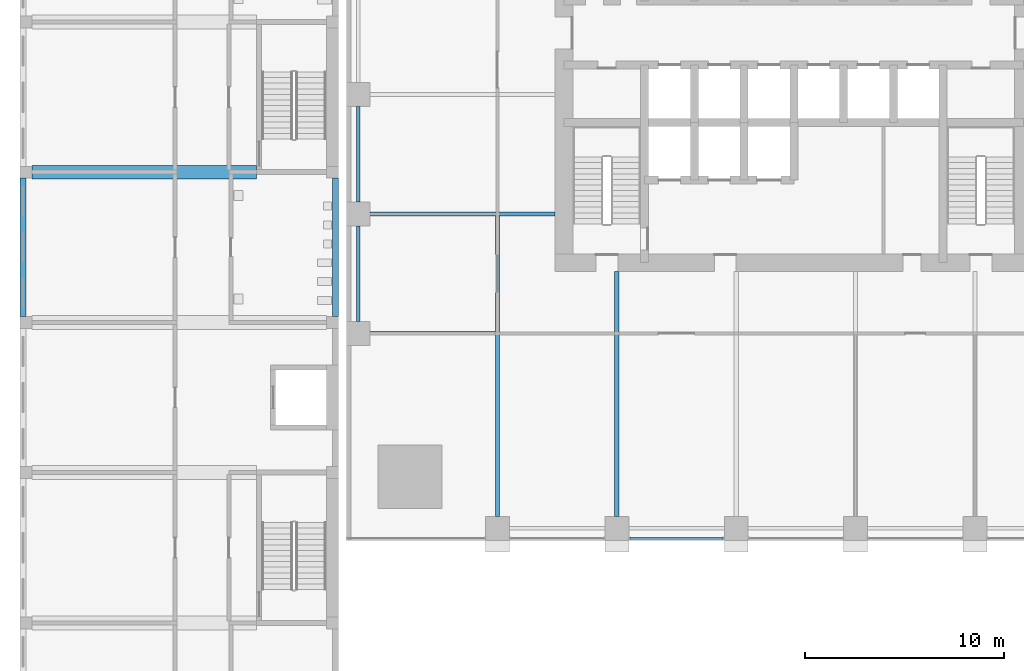
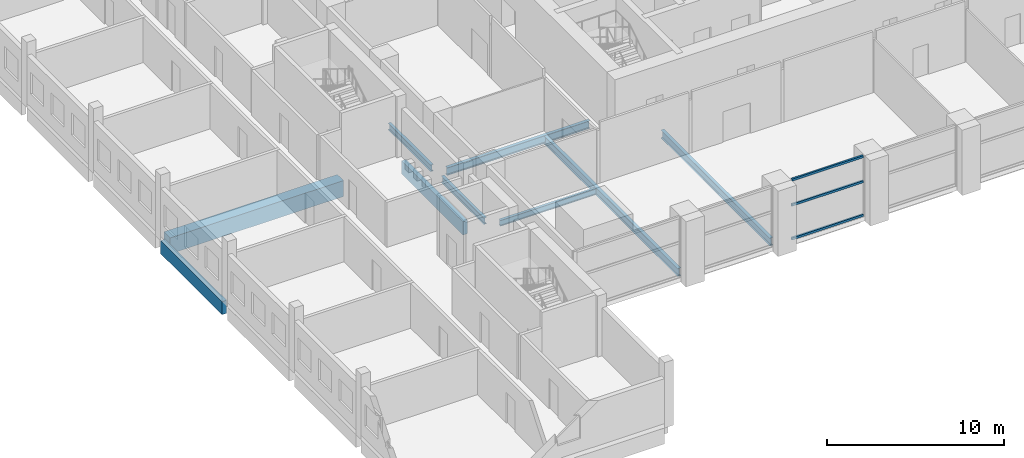
# One storey, part 3 of 25: 9 beams, 3 members, 1 element without a shape of its own.
"""IFC4 building model written with IfcOpenShell, lengths in metres."""

from ifc_helpers import new_model, si_unit, direction, frame, origin, origin_2d, place, context, subcontext, project, spatial, rectangle, i_section, extrude, material, material_profile, profile_set, type_object, element, aggregate, save


model = new_model("IFC4")

# Units and contexts
model_context = context("Model", 3, precision=1e-05, world=origin(), true_north=direction((0.0, 1.0)))
body_context = subcontext(model_context, "Body", "Model", "MODEL_VIEW")
ifc_project = project(units=[si_unit("LENGTHUNIT", "METRE"), si_unit("AREAUNIT", "SQUARE_METRE"), si_unit("VOLUMEUNIT", "CUBIC_METRE"), si_unit("PLANEANGLEUNIT", "RADIAN"), si_unit("MASSUNIT", "GRAM", prefix="KILO")], contexts=[model_context])

# Site, building, storey
site_placement = place(None, origin())
site = spatial("IfcSite", under=ifc_project, at=site_placement, CompositionType="ELEMENT")
building_placement = place(site_placement, origin())
building = spatial("IfcBuilding", under=site, at=building_placement, Name="Amberfall Residences", CompositionType="ELEMENT")
storey_placement = place(building_placement, frame((0.0, 0.0, 14.5)))
storey = spatial("IfcBuildingStorey", under=building, at=storey_placement, Name="L03", CompositionType="ELEMENT", Elevation=14.5)

# Curtain wall, members
ifc_material_1 = material(Name="Bronze anodised aluminium and glass", Category="aluminium")
curtain_wall_type = type_object("IfcCurtainWallType", Name="Curtain wall CW4 podium storefront", PredefinedType="USERDEFINED", material=ifc_material_1)
curtain_wall_placement = place(storey_placement, origin())
curtain_wall = element("IfcCurtainWall", 1, at=curtain_wall_placement, inside=storey, type_object=curtain_wall_type, Name="Storefront L03 S3", ObjectType="UNITISED CURTAIN WALL", PredefinedType="USERDEFINED")
ifc_material_2 = material(Name="Bronze anodised aluminium", Category="aluminium")
ifc_material_profile_1 = material_profile(ifc_material_2, rectangle(XDim=0.1201171875, YDim=0.14990234375, at=origin_2d()), Name="CW4 transom 120 x 150 bronze")
ifc_profile_set_1 = profile_set([ifc_material_profile_1], Name="Bronze anodised aluminium")
member_type = type_object("IfcMemberType", Name="CW4 transom 120 x 150 bronze", PredefinedType="USERDEFINED", material=ifc_profile_set_1)
member_1_placement = place(storey_placement, frame((66.27001953125, 20.10009765625, 0.074951171875), z_axis=(1.0, 0.0, 0.0), x_axis=(0.0, 1.0, 0.0)))
member_1 = element("IfcMember", 2, at=member_1_placement, type_object=member_type, Name="CW4 transom 1.1", ObjectType="TRANSOM", PredefinedType="USERDEFINED", context=body_context, shape_type="SweptSolid", body=[
    extrude(rectangle(XDim=0.1201171875, YDim=0.14990234375, at=origin_2d()), origin(), (0.0, 0.0, 1.0), 4.659912109375),
])
member_2_placement = place(storey_placement, frame((66.27001953125, 20.10009765625, 2.39990234375), z_axis=(1.0, 0.0, 0.0), x_axis=(0.0, 1.0, 0.0)))
member_2 = element("IfcMember", 3, at=member_2_placement, type_object=member_type, Name="CW4 transom 1.2", ObjectType="TRANSOM", PredefinedType="USERDEFINED", context=body_context, shape_type="SweptSolid", body=[
    extrude(rectangle(XDim=0.1201171875, YDim=0.14990234375, at=origin_2d()), origin(), (0.0, 0.0, 1.0), 4.659912109375),
])
member_3_placement = place(storey_placement, frame((66.27001953125, 20.10009765625, 4.125), z_axis=(1.0, 0.0, 0.0), x_axis=(0.0, 1.0, 0.0)))
member_3 = element("IfcMember", 4, at=member_3_placement, type_object=member_type, Name="CW4 transom 1.3", ObjectType="TRANSOM", PredefinedType="USERDEFINED", context=body_context, shape_type="SweptSolid", body=[
    extrude(rectangle(XDim=0.1201171875, YDim=0.14990234375, at=origin_2d()), origin(), (0.0, 0.0, 1.0), 4.659912109375),
])
aggregate(curtain_wall, [member_1, member_2, member_3])

# Beams
ifc_material_3 = material(Name="Steel S355", Category="steel")
ifc_material_profile_2 = material_profile(ifc_material_3, i_section(OverallWidth=0.18994140625, OverallDepth=0.453369140625, WebThickness=0.008544921875, FlangeThickness=0.0126953125, FilletRadius=0.01025390625, at=origin_2d()), Name="UB 457x191x67")
ifc_profile_set_2 = profile_set([ifc_material_profile_2], Name="Steel S355")
beam_type_1 = type_object("IfcBeamType", Name="Edge beam UB 457x191x67", PredefinedType="SPANDREL", material=ifc_profile_set_2)
for number, where, z_axis, x_axis, name in (
    (5, (52.60009765625, 31.0, -0.526611328125), (0.0, 1.0, 0.0), (-1.0, 0.0, 0.0), "Edge beam B1 L03 34"),
    (6, (52.60009765625, 37.0, -0.526611328125), (0.0, 1.0, 0.0), (-1.0, 0.0, 0.0), "Edge beam B1 L03 35"),
):
    element("IfcBeam", number, at=place(storey_placement, frame(where, z_axis=z_axis, x_axis=x_axis)), inside=storey, type_object=beam_type_1, Name=name, PredefinedType="SPANDREL", context=body_context, shape_type="SweptSolid", body=[
        extrude(i_section(OverallWidth=0.18994140625, OverallDepth=0.453369140625, WebThickness=0.008544921875, FlangeThickness=0.0126953125, FilletRadius=0.01025390625, at=origin_2d()), origin(), (0.0, 0.0, 1.0), 4.800048828125),
    ])
ifc_material_profile_3 = material_profile(ifc_material_3, i_section(OverallWidth=0.177734375, OverallDepth=0.402587890625, WebThickness=0.0078125, FlangeThickness=0.010986328125, FilletRadius=0.01025390625, at=origin_2d()), Name="UB 406x178x54")
ifc_profile_set_3 = profile_set([ifc_material_profile_3], Name="Steel S355")
beam_type_2 = type_object("IfcBeamType", Name="Floor girder UB 406x178x54", PredefinedType="BEAM", material=ifc_profile_set_3)
beam_1_placement = place(storey_placement, frame((53.199951171875, 30.39990234375, -0.501220703125), z_axis=(1.0, 0.0, 0.0), x_axis=(0.0, 1.0, 0.0)))
element("IfcBeam", 7, at=beam_1_placement, inside=storey, type_object=beam_type_2, Name="Floor girder B4 L03 39", PredefinedType="BEAM", context=body_context, shape_type="SweptSolid", body=[
    extrude(i_section(OverallWidth=0.177734375, OverallDepth=0.402587890625, WebThickness=0.0078125, FlangeThickness=0.010986328125, FilletRadius=0.01025390625, at=origin_2d()), origin(), (0.0, 0.0, 1.0), 6.280029296875),
])
ifc_material_profile_4 = material_profile(ifc_material_3, i_section(OverallWidth=0.210693359375, OverallDepth=0.53955078125, WebThickness=0.01171875, FlangeThickness=0.018798828125, FilletRadius=0.0126953125, at=origin_2d()), Name="UB 533x210x109")
ifc_profile_set_4 = profile_set([ifc_material_profile_4], Name="Steel S355")
beam_type_3 = type_object("IfcBeamType", Name="Floor girder UB 533x210x109", PredefinedType="BEAM", material=ifc_profile_set_4)
beam_2_placement = place(storey_placement, frame((59.60009765625, 21.199951171875, -0.56982421875), z_axis=(0.0, 1.0, 0.0), x_axis=(-1.0, 0.0, 0.0)))
element("IfcBeam", 8, at=beam_2_placement, inside=storey, type_object=beam_type_3, Name="Floor girder B2 L03 06", PredefinedType="BEAM", context=body_context, shape_type="SweptSolid", body=[
    extrude(i_section(OverallWidth=0.210693359375, OverallDepth=0.53955078125, WebThickness=0.01171875, FlangeThickness=0.018798828125, FilletRadius=0.0126953125, at=origin_2d()), origin(), (0.0, 0.0, 1.0), 15.100341796875),
])
beam_3_placement = place(storey_placement, frame((65.60009765625, 21.199951171875, -0.56982421875), z_axis=(0.0, 1.0, 0.0), x_axis=(-1.0, 0.0, 0.0)))
element("IfcBeam", 9, at=beam_3_placement, inside=storey, type_object=beam_type_3, Name="Floor girder B2 L03 07", PredefinedType="BEAM", context=body_context, shape_type="SweptSolid", body=[
    extrude(i_section(OverallWidth=0.210693359375, OverallDepth=0.53955078125, WebThickness=0.01171875, FlangeThickness=0.018798828125, FilletRadius=0.0126953125, at=origin_2d()), origin(), (0.0, 0.0, 1.0), 12.300048828125),
])
ifc_material_profile_5 = material_profile(ifc_material_3, i_section(OverallWidth=0.209228515625, OverallDepth=0.533203125, WebThickness=0.010009765625, FlangeThickness=0.015625, FilletRadius=0.0126953125, at=origin_2d()), Name="UB 533x210x92")
ifc_profile_set_5 = profile_set([ifc_material_profile_5], Name="Steel S355")
beam_type_4 = type_object("IfcBeamType", Name="Floor girder UB 533x210x92", PredefinedType="BEAM", material=ifc_profile_set_5)
beam_4_placement = place(storey_placement, frame((53.199951171875, 36.39990234375, -0.566650390625), z_axis=(1.0, 0.0, 0.0), x_axis=(0.0, 1.0, 0.0)))
element("IfcBeam", 10, at=beam_4_placement, inside=storey, type_object=beam_type_4, Name="Floor girder B3 L03 40", PredefinedType="BEAM", context=body_context, shape_type="SweptSolid", body=[
    extrude(i_section(OverallWidth=0.209228515625, OverallDepth=0.533203125, WebThickness=0.010009765625, FlangeThickness=0.015625, FilletRadius=0.0126953125, at=origin_2d()), origin(), (0.0, 0.0, 1.0), 9.300048828125),
])
ifc_material_4 = material(Name="Concrete C40", Category="concrete")
ifc_material_profile_6 = material_profile(ifc_material_4, rectangle(XDim=0.699951171875, YDim=1.10009765625, at=origin_2d()), Name="School beam 700 x 1100 C40")
ifc_profile_set_6 = profile_set([ifc_material_profile_6], Name="Concrete C40")
beam_type_5 = type_object("IfcBeamType", Name="School beam 700 x 1100 C40", PredefinedType="BEAM", material=ifc_profile_set_6)
beam_5_placement = place(storey_placement, frame((36.199951171875, 38.5, -0.85009765625), z_axis=(1.0, 0.0, 0.0), x_axis=(0.0, 1.0, 0.0)))
element("IfcBeam", 11, at=beam_5_placement, inside=storey, type_object=beam_type_5, Name="TW4", PredefinedType="BEAM", context=body_context, shape_type="SweptSolid", body=[
    extrude(rectangle(XDim=0.699951171875, YDim=1.10009765625, at=origin_2d()), origin(), (0.0, 0.0, 1.0), 11.300048828125),
])
ifc_material_profile_7 = material_profile(ifc_material_4, rectangle(XDim=0.300048828125, YDim=0.89990234375, at=origin_2d()), Name="School edge beam 300 x 900 C40")
ifc_profile_set_7 = profile_set([ifc_material_profile_7], Name="Concrete C40")
beam_type_6 = type_object("IfcBeamType", Name="School edge beam 300 x 900 C40", PredefinedType="BEAM", material=ifc_profile_set_7)
for number, where, z_axis, x_axis, name in (
    (12, (35.75, 31.25, -0.75), (0.0, 1.0, 0.0), (-1.0, 0.0, 0.0), "GW3"),
    (13, (51.449951171875, 31.25, -0.75), (0.0, 1.0, 0.0), (-1.0, 0.0, 0.0), "GE3"),
):
    element("IfcBeam", number, at=place(storey_placement, frame(where, z_axis=z_axis, x_axis=x_axis)), inside=storey, type_object=beam_type_6, Name=name, PredefinedType="BEAM", context=body_context, shape_type="SweptSolid", body=[
        extrude(rectangle(XDim=0.300048828125, YDim=0.89990234375, at=origin_2d()), origin(), (0.0, 0.0, 1.0), 6.949951171875),
    ])

save(model, "model.ifc")
